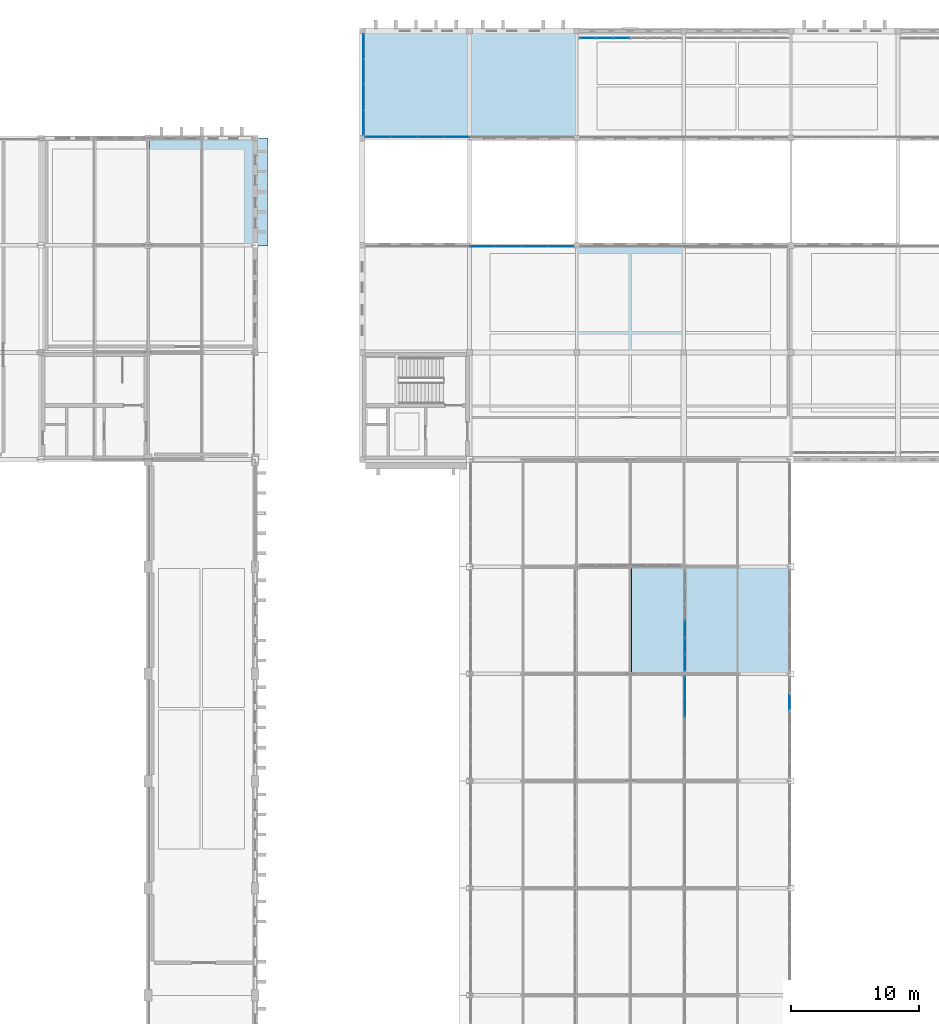
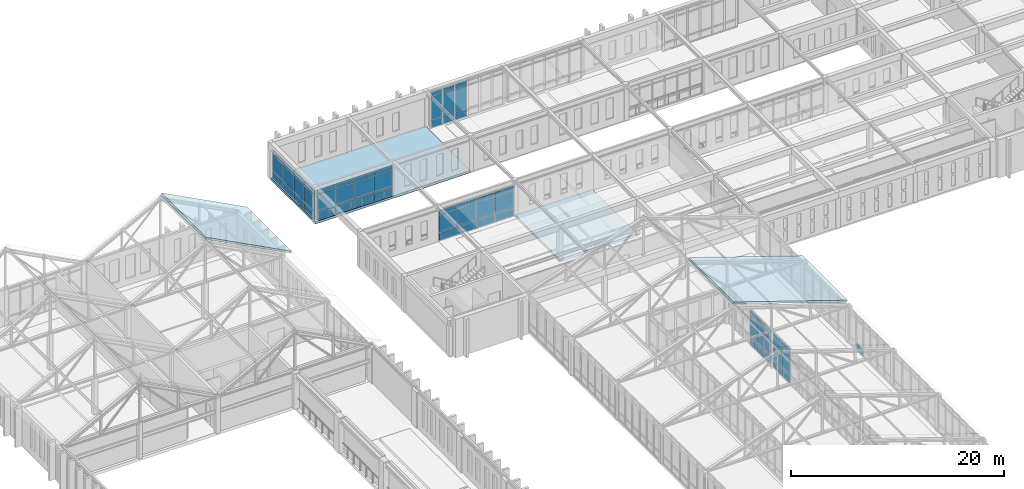
# One storey, part 123 of 192: 61 plates, 4 slabs, 7 elements without a shape of their own.
"""IFC4 building model written with IfcOpenShell, lengths in metres."""

from ifc_helpers import new_model, si_unit, direction, frame, origin, origin_2d, place, context, subcontext, project, spatial, polyline, rectangle, outline, extrude, material, layer, layer_set, type_object, element, aggregate, save


model = new_model("IFC4")

# Units and contexts
model_context = context("Model", 3, precision=1e-05, world=origin(), true_north=direction((0.0, 1.0)))
body_context = subcontext(model_context, "Body", "Model", "MODEL_VIEW")
ifc_project = project(units=[si_unit("LENGTHUNIT", "METRE"), si_unit("AREAUNIT", "SQUARE_METRE"), si_unit("VOLUMEUNIT", "CUBIC_METRE"), si_unit("PLANEANGLEUNIT", "RADIAN"), si_unit("MASSUNIT", "GRAM", prefix="KILO")], contexts=[model_context])

# Site, building, storey
site_placement = place(None, origin())
site = spatial("IfcSite", under=ifc_project, at=site_placement, CompositionType="ELEMENT")
building_placement = place(site_placement, origin())
building = spatial("IfcBuilding", under=site, at=building_placement, Name="Kveldsbrygga Polytechnic", CompositionType="ELEMENT")
storey_placement = place(building_placement, frame((0.0, 0.0, 5.43994140625)))
storey = spatial("IfcBuildingStorey", under=building, at=storey_placement, Name="L01", CompositionType="ELEMENT", Elevation=5.43994140625)

# Curtain wall, plates
ifc_material_1 = material(Name="Anodised aluminium AW-6060", Category="aluminium")
ifc_layer_1 = layer(ifc_material_1, 0.199951171875)
ifc_layer_set_1 = layer_set([ifc_layer_1], Name="Anodised aluminium AW-6060")
curtain_wall_type_1 = type_object("IfcCurtainWallType", Name="CW-LANC-E", PredefinedType="USERDEFINED", material=ifc_layer_set_1)
curtain_wall_1_placement = place(storey_placement, origin())
curtain_wall_1 = element("IfcCurtainWall", 1, at=curtain_wall_1_placement, inside=storey, type_object=curtain_wall_type_1, Name="Curtain Wall CW-L01-X-05-13", ObjectType="UNITISED CURTAIN WALL", PredefinedType="USERDEFINED")
ifc_material_2 = material(Name="Insulated triple low-E glass", Category="glass")
ifc_layer_2 = layer(ifc_material_2, 0.0419921875)
ifc_layer_set_2 = layer_set([ifc_layer_2], Name="Insulated triple low-E glass")
plate_type_1 = type_object("IfcPlateType", Name="CW-PAN-VIS42", PredefinedType="CURTAIN_PANEL", material=ifc_layer_set_2)
plate_1_placement = place(storey_placement, frame((43.248779296875, 109.300048828125, 0.06005859375), z_axis=(0.0, 0.0, 1.0), x_axis=(1.0, 0.0, 0.0)))
plate_1 = element("IfcPlate", 2, at=plate_1_placement, type_object=plate_type_1, Name="CW-05 panel 1.1", PredefinedType="CURTAIN_PANEL", context=body_context, shape_type="SweptSolid", body=[
    extrude(rectangle(XDim=1.95751953125, YDim=0.0419921875, at=origin_2d()), origin(), (0.0, 0.0, 1.0), 0.81005859375),
])
plate_2_placement = place(storey_placement, frame((43.248779296875, 109.300048828125, 0.93017578125), z_axis=(0.0, 0.0, 1.0), x_axis=(1.0, 0.0, 0.0)))
plate_2 = element("IfcPlate", 3, at=plate_2_placement, type_object=plate_type_1, Name="CW-05 panel 1.2", PredefinedType="CURTAIN_PANEL", context=body_context, shape_type="SweptSolid", body=[
    extrude(rectangle(XDim=1.95751953125, YDim=0.0419921875, at=origin_2d()), origin(), (0.0, 0.0, 1.0), 2.010009765625),
])
plate_3_placement = place(storey_placement, frame((43.248779296875, 109.300048828125, 3.0), z_axis=(0.0, 0.0, 1.0), x_axis=(1.0, 0.0, 0.0)))
plate_3 = element("IfcPlate", 4, at=plate_3_placement, type_object=plate_type_1, Name="CW-05 panel 1.3", PredefinedType="CURTAIN_PANEL", context=body_context, shape_type="SweptSolid", body=[
    extrude(rectangle(XDim=1.95751953125, YDim=0.0419921875, at=origin_2d()), origin(), (0.0, 0.0, 1.0), 0.4599609375),
])
plate_4_placement = place(storey_placement, frame((45.28125, 109.300048828125, 0.06005859375), z_axis=(0.0, 0.0, 1.0), x_axis=(1.0, 0.0, 0.0)))
plate_4 = element("IfcPlate", 5, at=plate_4_placement, type_object=plate_type_1, Name="CW-05 panel 2.1", PredefinedType="CURTAIN_PANEL", context=body_context, shape_type="SweptSolid", body=[
    extrude(rectangle(XDim=1.987548828125, YDim=0.0419921875, at=origin_2d()), origin(), (0.0, 0.0, 1.0), 0.81005859375),
])
plate_5_placement = place(storey_placement, frame((45.28125, 109.300048828125, 0.93017578125), z_axis=(0.0, 0.0, 1.0), x_axis=(1.0, 0.0, 0.0)))
plate_5 = element("IfcPlate", 6, at=plate_5_placement, type_object=plate_type_1, Name="CW-05 panel 2.2", PredefinedType="CURTAIN_PANEL", context=body_context, shape_type="SweptSolid", body=[
    extrude(rectangle(XDim=1.987548828125, YDim=0.0419921875, at=origin_2d()), origin(), (0.0, 0.0, 1.0), 2.010009765625),
])
plate_6_placement = place(storey_placement, frame((45.28125, 109.300048828125, 3.0), z_axis=(0.0, 0.0, 1.0), x_axis=(1.0, 0.0, 0.0)))
plate_6 = element("IfcPlate", 7, at=plate_6_placement, type_object=plate_type_1, Name="CW-05 panel 2.3", PredefinedType="CURTAIN_PANEL", context=body_context, shape_type="SweptSolid", body=[
    extrude(rectangle(XDim=1.987548828125, YDim=0.0419921875, at=origin_2d()), origin(), (0.0, 0.0, 1.0), 0.4599609375),
])
plate_7_placement = place(storey_placement, frame((47.328857421875, 109.300048828125, 0.06005859375), z_axis=(0.0, 0.0, 1.0), x_axis=(1.0, 0.0, 0.0)))
plate_7 = element("IfcPlate", 8, at=plate_7_placement, type_object=plate_type_1, Name="CW-05 panel 3.1", PredefinedType="CURTAIN_PANEL", context=body_context, shape_type="SweptSolid", body=[
    extrude(rectangle(XDim=1.987548828125, YDim=0.0419921875, at=origin_2d()), origin(), (0.0, 0.0, 1.0), 0.81005859375),
])
plate_8_placement = place(storey_placement, frame((47.328857421875, 109.300048828125, 0.93017578125), z_axis=(0.0, 0.0, 1.0), x_axis=(1.0, 0.0, 0.0)))
plate_8 = element("IfcPlate", 9, at=plate_8_placement, type_object=plate_type_1, Name="CW-05 panel 3.2", PredefinedType="CURTAIN_PANEL", context=body_context, shape_type="SweptSolid", body=[
    extrude(rectangle(XDim=1.987548828125, YDim=0.0419921875, at=origin_2d()), origin(), (0.0, 0.0, 1.0), 2.010009765625),
])
plate_9_placement = place(storey_placement, frame((47.328857421875, 109.300048828125, 3.0), z_axis=(0.0, 0.0, 1.0), x_axis=(1.0, 0.0, 0.0)))
plate_9 = element("IfcPlate", 10, at=plate_9_placement, type_object=plate_type_1, Name="CW-05 panel 3.3", PredefinedType="CURTAIN_PANEL", context=body_context, shape_type="SweptSolid", body=[
    extrude(rectangle(XDim=1.987548828125, YDim=0.0419921875, at=origin_2d()), origin(), (0.0, 0.0, 1.0), 0.4599609375),
])
plate_10_placement = place(storey_placement, frame((49.361328125, 109.300048828125, 0.06005859375), z_axis=(0.0, 0.0, 1.0), x_axis=(1.0, 0.0, 0.0)))
plate_10 = element("IfcPlate", 11, at=plate_10_placement, type_object=plate_type_1, Name="CW-05 panel 4.1", PredefinedType="CURTAIN_PANEL", context=body_context, shape_type="SweptSolid", body=[
    extrude(rectangle(XDim=1.95751953125, YDim=0.0419921875, at=origin_2d()), origin(), (0.0, 0.0, 1.0), 0.81005859375),
])
plate_11_placement = place(storey_placement, frame((49.361328125, 109.300048828125, 0.93017578125), z_axis=(0.0, 0.0, 1.0), x_axis=(1.0, 0.0, 0.0)))
plate_11 = element("IfcPlate", 12, at=plate_11_placement, type_object=plate_type_1, Name="CW-05 panel 4.2", PredefinedType="CURTAIN_PANEL", context=body_context, shape_type="SweptSolid", body=[
    extrude(rectangle(XDim=1.95751953125, YDim=0.0419921875, at=origin_2d()), origin(), (0.0, 0.0, 1.0), 2.010009765625),
])
plate_12_placement = place(storey_placement, frame((49.361328125, 109.300048828125, 3.0), z_axis=(0.0, 0.0, 1.0), x_axis=(1.0, 0.0, 0.0)))
plate_12 = element("IfcPlate", 13, at=plate_12_placement, type_object=plate_type_1, Name="CW-05 panel 4.3", PredefinedType="CURTAIN_PANEL", context=body_context, shape_type="SweptSolid", body=[
    extrude(rectangle(XDim=1.95751953125, YDim=0.0419921875, at=origin_2d()), origin(), (0.0, 0.0, 1.0), 0.4599609375),
])
aggregate(curtain_wall_1, [plate_1, plate_2, plate_3, plate_4, plate_5, plate_6, plate_7, plate_8, plate_9, plate_10, plate_11, plate_12])

curtain_wall_2_placement = place(storey_placement, origin())
curtain_wall_2 = element("IfcCurtainWall", 14, at=curtain_wall_2_placement, inside=storey, type_object=curtain_wall_type_1, Name="Curtain Wall CW-L01-Y-05-13", ObjectType="UNITISED CURTAIN WALL", PredefinedType="USERDEFINED")
plate_13_placement = place(storey_placement, frame((42.10009765625, 110.42431640625, 0.06005859375), z_axis=(0.0, 0.0, 1.0), x_axis=(0.0, 1.0, 0.0)))
plate_13 = element("IfcPlate", 15, at=plate_13_placement, type_object=plate_type_1, Name="CW-05 panel 1.1", PredefinedType="CURTAIN_PANEL", context=body_context, shape_type="SweptSolid", body=[
    extrude(rectangle(XDim=1.90869140625, YDim=0.0419921875, at=origin_2d()), origin(), (0.0, 0.0, 1.0), 0.81005859375),
])
plate_14_placement = place(storey_placement, frame((42.10009765625, 110.42431640625, 0.93017578125), z_axis=(0.0, 0.0, 1.0), x_axis=(0.0, 1.0, 0.0)))
plate_14 = element("IfcPlate", 16, at=plate_14_placement, type_object=plate_type_1, Name="CW-05 panel 1.2", PredefinedType="CURTAIN_PANEL", context=body_context, shape_type="SweptSolid", body=[
    extrude(rectangle(XDim=1.90869140625, YDim=0.0419921875, at=origin_2d()), origin(), (0.0, 0.0, 1.0), 1.860107421875),
])
plate_15_placement = place(storey_placement, frame((42.10009765625, 110.42431640625, 2.85009765625), z_axis=(0.0, 0.0, 1.0), x_axis=(0.0, 1.0, 0.0)))
plate_15 = element("IfcPlate", 17, at=plate_15_placement, type_object=plate_type_1, Name="CW-05 panel 1.3", PredefinedType="CURTAIN_PANEL", context=body_context, shape_type="SweptSolid", body=[
    extrude(rectangle(XDim=1.90869140625, YDim=0.0419921875, at=origin_2d()), origin(), (0.0, 0.0, 1.0), 0.4599609375),
])
plate_16_placement = place(storey_placement, frame((42.10009765625, 112.408203125, 0.06005859375), z_axis=(0.0, 0.0, 1.0), x_axis=(0.0, 1.0, 0.0)))
plate_16 = element("IfcPlate", 18, at=plate_16_placement, type_object=plate_type_1, Name="CW-05 panel 2.1", PredefinedType="CURTAIN_PANEL", context=body_context, shape_type="SweptSolid", body=[
    extrude(rectangle(XDim=1.938720703125, YDim=0.0419921875, at=origin_2d()), origin(), (0.0, 0.0, 1.0), 0.81005859375),
])
plate_17_placement = place(storey_placement, frame((42.10009765625, 112.408203125, 0.93017578125), z_axis=(0.0, 0.0, 1.0), x_axis=(0.0, 1.0, 0.0)))
plate_17 = element("IfcPlate", 19, at=plate_17_placement, type_object=plate_type_1, Name="CW-05 panel 2.2", PredefinedType="CURTAIN_PANEL", context=body_context, shape_type="SweptSolid", body=[
    extrude(rectangle(XDim=1.938720703125, YDim=0.0419921875, at=origin_2d()), origin(), (0.0, 0.0, 1.0), 1.860107421875),
])
plate_18_placement = place(storey_placement, frame((42.10009765625, 112.408203125, 2.85009765625), z_axis=(0.0, 0.0, 1.0), x_axis=(0.0, 1.0, 0.0)))
plate_18 = element("IfcPlate", 20, at=plate_18_placement, type_object=plate_type_1, Name="CW-05 panel 2.3", PredefinedType="CURTAIN_PANEL", context=body_context, shape_type="SweptSolid", body=[
    extrude(rectangle(XDim=1.938720703125, YDim=0.0419921875, at=origin_2d()), origin(), (0.0, 0.0, 1.0), 0.4599609375),
])
plate_19_placement = place(storey_placement, frame((42.10009765625, 114.406982421875, 0.06005859375), z_axis=(0.0, 0.0, 1.0), x_axis=(0.0, 1.0, 0.0)))
plate_19 = element("IfcPlate", 21, at=plate_19_placement, type_object=plate_type_1, Name="CW-05 panel 3.1", PredefinedType="CURTAIN_PANEL", context=body_context, shape_type="SweptSolid", body=[
    extrude(rectangle(XDim=1.938720703125, YDim=0.0419921875, at=origin_2d()), origin(), (0.0, 0.0, 1.0), 0.81005859375),
])
plate_20_placement = place(storey_placement, frame((42.10009765625, 114.406982421875, 0.93017578125), z_axis=(0.0, 0.0, 1.0), x_axis=(0.0, 1.0, 0.0)))
plate_20 = element("IfcPlate", 22, at=plate_20_placement, type_object=plate_type_1, Name="CW-05 panel 3.2", PredefinedType="CURTAIN_PANEL", context=body_context, shape_type="SweptSolid", body=[
    extrude(rectangle(XDim=1.938720703125, YDim=0.0419921875, at=origin_2d()), origin(), (0.0, 0.0, 1.0), 1.860107421875),
])
plate_21_placement = place(storey_placement, frame((42.10009765625, 114.406982421875, 2.85009765625), z_axis=(0.0, 0.0, 1.0), x_axis=(0.0, 1.0, 0.0)))
plate_21 = element("IfcPlate", 23, at=plate_21_placement, type_object=plate_type_1, Name="CW-05 panel 3.3", PredefinedType="CURTAIN_PANEL", context=body_context, shape_type="SweptSolid", body=[
    extrude(rectangle(XDim=1.938720703125, YDim=0.0419921875, at=origin_2d()), origin(), (0.0, 0.0, 1.0), 0.4599609375),
])
plate_22_placement = place(storey_placement, frame((42.10009765625, 116.390625, 0.06005859375), z_axis=(0.0, 0.0, 1.0), x_axis=(0.0, 1.0, 0.0)))
plate_22 = element("IfcPlate", 24, at=plate_22_placement, type_object=plate_type_1, Name="CW-05 panel 4.1", PredefinedType="CURTAIN_PANEL", context=body_context, shape_type="SweptSolid", body=[
    extrude(rectangle(XDim=1.90869140625, YDim=0.0419921875, at=origin_2d()), origin(), (0.0, 0.0, 1.0), 0.81005859375),
])
plate_23_placement = place(storey_placement, frame((42.10009765625, 116.390625, 0.93017578125), z_axis=(0.0, 0.0, 1.0), x_axis=(0.0, 1.0, 0.0)))
plate_23 = element("IfcPlate", 25, at=plate_23_placement, type_object=plate_type_1, Name="CW-05 panel 4.2", PredefinedType="CURTAIN_PANEL", context=body_context, shape_type="SweptSolid", body=[
    extrude(rectangle(XDim=1.90869140625, YDim=0.0419921875, at=origin_2d()), origin(), (0.0, 0.0, 1.0), 1.860107421875),
])
plate_24_placement = place(storey_placement, frame((42.10009765625, 116.390625, 2.85009765625), z_axis=(0.0, 0.0, 1.0), x_axis=(0.0, 1.0, 0.0)))
plate_24 = element("IfcPlate", 26, at=plate_24_placement, type_object=plate_type_1, Name="CW-05 panel 4.3", PredefinedType="CURTAIN_PANEL", context=body_context, shape_type="SweptSolid", body=[
    extrude(rectangle(XDim=1.90869140625, YDim=0.0419921875, at=origin_2d()), origin(), (0.0, 0.0, 1.0), 0.4599609375),
])
aggregate(curtain_wall_2, [plate_13, plate_14, plate_15, plate_16, plate_17, plate_18, plate_19, plate_20, plate_21, plate_22, plate_23, plate_24])

curtain_wall_3_placement = place(storey_placement, origin())
curtain_wall_3 = element("IfcCurtainWall", 27, at=curtain_wall_3_placement, inside=storey, type_object=curtain_wall_type_1, Name="Curtain Wall CW-L01-X-06-12", ObjectType="UNITISED CURTAIN WALL", PredefinedType="USERDEFINED")
plate_25_placement = place(storey_placement, frame((51.440673828125, 100.699951171875, 0.06005859375), z_axis=(0.0, 0.0, 1.0), x_axis=(1.0, 0.0, 0.0)))
plate_25 = element("IfcPlate", 28, at=plate_25_placement, type_object=plate_type_1, Name="CW-05 panel 1.1", PredefinedType="CURTAIN_PANEL", context=body_context, shape_type="SweptSolid", body=[
    extrude(rectangle(XDim=1.961181640625, YDim=0.0419921875, at=origin_2d()), origin(), (0.0, 0.0, 1.0), 0.81005859375),
])
plate_26_placement = place(storey_placement, frame((51.440673828125, 100.699951171875, 0.93017578125), z_axis=(0.0, 0.0, 1.0), x_axis=(1.0, 0.0, 0.0)))
plate_26 = element("IfcPlate", 29, at=plate_26_placement, type_object=plate_type_1, Name="CW-05 panel 1.2", PredefinedType="CURTAIN_PANEL", context=body_context, shape_type="SweptSolid", body=[
    extrude(rectangle(XDim=1.961181640625, YDim=0.0419921875, at=origin_2d()), origin(), (0.0, 0.0, 1.0), 2.010009765625),
])
plate_27_placement = place(storey_placement, frame((51.440673828125, 100.699951171875, 3.0), z_axis=(0.0, 0.0, 1.0), x_axis=(1.0, 0.0, 0.0)))
plate_27 = element("IfcPlate", 30, at=plate_27_placement, type_object=plate_type_1, Name="CW-05 panel 1.3", PredefinedType="CURTAIN_PANEL", context=body_context, shape_type="SweptSolid", body=[
    extrude(rectangle(XDim=1.961181640625, YDim=0.0419921875, at=origin_2d()), origin(), (0.0, 0.0, 1.0), 0.4599609375),
])
plate_28_placement = place(storey_placement, frame((53.476806640625, 100.699951171875, 0.06005859375), z_axis=(0.0, 0.0, 1.0), x_axis=(1.0, 0.0, 0.0)))
plate_28 = element("IfcPlate", 31, at=plate_28_placement, type_object=plate_type_1, Name="CW-05 panel 2.1", PredefinedType="CURTAIN_PANEL", context=body_context, shape_type="SweptSolid", body=[
    extrude(rectangle(XDim=1.9912109375, YDim=0.0419921875, at=origin_2d()), origin(), (0.0, 0.0, 1.0), 0.81005859375),
])
plate_29_placement = place(storey_placement, frame((53.476806640625, 100.699951171875, 0.93017578125), z_axis=(0.0, 0.0, 1.0), x_axis=(1.0, 0.0, 0.0)))
plate_29 = element("IfcPlate", 32, at=plate_29_placement, type_object=plate_type_1, Name="CW-05 panel 2.2", PredefinedType="CURTAIN_PANEL", context=body_context, shape_type="SweptSolid", body=[
    extrude(rectangle(XDim=1.9912109375, YDim=0.0419921875, at=origin_2d()), origin(), (0.0, 0.0, 1.0), 2.010009765625),
])
plate_30_placement = place(storey_placement, frame((53.476806640625, 100.699951171875, 3.0), z_axis=(0.0, 0.0, 1.0), x_axis=(1.0, 0.0, 0.0)))
plate_30 = element("IfcPlate", 33, at=plate_30_placement, type_object=plate_type_1, Name="CW-05 panel 2.3", PredefinedType="CURTAIN_PANEL", context=body_context, shape_type="SweptSolid", body=[
    extrude(rectangle(XDim=1.9912109375, YDim=0.0419921875, at=origin_2d()), origin(), (0.0, 0.0, 1.0), 0.4599609375),
])
plate_31_placement = place(storey_placement, frame((55.528076171875, 100.699951171875, 0.06005859375), z_axis=(0.0, 0.0, 1.0), x_axis=(1.0, 0.0, 0.0)))
plate_31 = element("IfcPlate", 34, at=plate_31_placement, type_object=plate_type_1, Name="CW-05 panel 3.1", PredefinedType="CURTAIN_PANEL", context=body_context, shape_type="SweptSolid", body=[
    extrude(rectangle(XDim=1.9912109375, YDim=0.0419921875, at=origin_2d()), origin(), (0.0, 0.0, 1.0), 0.81005859375),
])
plate_32_placement = place(storey_placement, frame((55.528076171875, 100.699951171875, 0.93017578125), z_axis=(0.0, 0.0, 1.0), x_axis=(1.0, 0.0, 0.0)))
plate_32 = element("IfcPlate", 35, at=plate_32_placement, type_object=plate_type_1, Name="CW-05 panel 3.2", PredefinedType="CURTAIN_PANEL", context=body_context, shape_type="SweptSolid", body=[
    extrude(rectangle(XDim=1.9912109375, YDim=0.0419921875, at=origin_2d()), origin(), (0.0, 0.0, 1.0), 2.010009765625),
])
plate_33_placement = place(storey_placement, frame((55.528076171875, 100.699951171875, 3.0), z_axis=(0.0, 0.0, 1.0), x_axis=(1.0, 0.0, 0.0)))
plate_33 = element("IfcPlate", 36, at=plate_33_placement, type_object=plate_type_1, Name="CW-05 panel 3.3", PredefinedType="CURTAIN_PANEL", context=body_context, shape_type="SweptSolid", body=[
    extrude(rectangle(XDim=1.9912109375, YDim=0.0419921875, at=origin_2d()), origin(), (0.0, 0.0, 1.0), 0.4599609375),
])
plate_34_placement = place(storey_placement, frame((57.564453125, 100.699951171875, 0.06005859375), z_axis=(0.0, 0.0, 1.0), x_axis=(1.0, 0.0, 0.0)))
plate_34 = element("IfcPlate", 37, at=plate_34_placement, type_object=plate_type_1, Name="CW-05 panel 4.1", PredefinedType="CURTAIN_PANEL", context=body_context, shape_type="SweptSolid", body=[
    extrude(rectangle(XDim=1.961181640625, YDim=0.0419921875, at=origin_2d()), origin(), (0.0, 0.0, 1.0), 0.81005859375),
])
plate_35_placement = place(storey_placement, frame((57.564453125, 100.699951171875, 0.93017578125), z_axis=(0.0, 0.0, 1.0), x_axis=(1.0, 0.0, 0.0)))
plate_35 = element("IfcPlate", 38, at=plate_35_placement, type_object=plate_type_1, Name="CW-05 panel 4.2", PredefinedType="CURTAIN_PANEL", context=body_context, shape_type="SweptSolid", body=[
    extrude(rectangle(XDim=1.961181640625, YDim=0.0419921875, at=origin_2d()), origin(), (0.0, 0.0, 1.0), 2.010009765625),
])
plate_36_placement = place(storey_placement, frame((57.564453125, 100.699951171875, 3.0), z_axis=(0.0, 0.0, 1.0), x_axis=(1.0, 0.0, 0.0)))
plate_36 = element("IfcPlate", 39, at=plate_36_placement, type_object=plate_type_1, Name="CW-05 panel 4.3", PredefinedType="CURTAIN_PANEL", context=body_context, shape_type="SweptSolid", body=[
    extrude(rectangle(XDim=1.961181640625, YDim=0.0419921875, at=origin_2d()), origin(), (0.0, 0.0, 1.0), 0.4599609375),
])
aggregate(curtain_wall_3, [plate_25, plate_26, plate_27, plate_28, plate_29, plate_30, plate_31, plate_32, plate_33, plate_34, plate_35, plate_36])

ifc_layer_3 = layer(ifc_material_1, 0.2099609375)
ifc_layer_set_3 = layer_set([ifc_layer_3], Name="Anodised aluminium AW-6060")
curtain_wall_type_2 = type_object("IfcCurtainWallType", Name="CW-LIBR-H", PredefinedType="USERDEFINED", material=ifc_layer_set_3)
curtain_wall_4_placement = place(storey_placement, origin())
curtain_wall_4 = element("IfcCurtainWall", 40, at=curtain_wall_4_placement, inside=storey, type_object=curtain_wall_type_2, Name="Curtain Wall CW-L01-X-07-14", ObjectType="UNITISED CURTAIN WALL", PredefinedType="USERDEFINED")
plate_37_placement = place(storey_placement, frame((59.679931640625, 117.050048828125, 0.06005859375), z_axis=(0.0, 0.0, 1.0), x_axis=(1.0, 0.0, 0.0)))
plate_37 = element("IfcPlate", 41, at=plate_37_placement, type_object=plate_type_1, Name="CW-08 panel 1.1", PredefinedType="CURTAIN_PANEL", context=body_context, shape_type="SweptSolid", body=[
    extrude(rectangle(XDim=1.219970703125, YDim=0.0419921875, at=origin_2d()), origin(), (0.0, 0.0, 1.0), 0.81005859375),
])
plate_38_placement = place(storey_placement, frame((59.679931640625, 117.050048828125, 0.93017578125), z_axis=(0.0, 0.0, 1.0), x_axis=(1.0, 0.0, 0.0)))
plate_38 = element("IfcPlate", 42, at=plate_38_placement, type_object=plate_type_1, Name="CW-08 panel 1.2", PredefinedType="CURTAIN_PANEL", context=body_context, shape_type="SweptSolid", body=[
    extrude(rectangle(XDim=1.219970703125, YDim=0.0419921875, at=origin_2d()), origin(), (0.0, 0.0, 1.0), 2.610107421875),
])
plate_39_placement = place(storey_placement, frame((59.679931640625, 117.050048828125, 3.60009765625), z_axis=(0.0, 0.0, 1.0), x_axis=(1.0, 0.0, 0.0)))
plate_39 = element("IfcPlate", 43, at=plate_39_placement, type_object=plate_type_1, Name="CW-08 panel 1.3", PredefinedType="CURTAIN_PANEL", context=body_context, shape_type="SweptSolid", body=[
    extrude(rectangle(XDim=1.219970703125, YDim=0.0419921875, at=origin_2d()), origin(), (0.0, 0.0, 1.0), 0.4599609375),
])
plate_40_placement = place(storey_placement, frame((60.99365234375, 117.050048828125, 0.06005859375), z_axis=(0.0, 0.0, 1.0), x_axis=(1.0, 0.0, 0.0)))
plate_40 = element("IfcPlate", 44, at=plate_40_placement, type_object=plate_type_1, Name="CW-08 panel 2.1", PredefinedType="CURTAIN_PANEL", context=body_context, shape_type="SweptSolid", body=[
    extrude(rectangle(XDim=1.257568359375, YDim=0.0419921875, at=origin_2d()), origin(), (0.0, 0.0, 1.0), 0.81005859375),
])
plate_41_placement = place(storey_placement, frame((60.99365234375, 117.050048828125, 0.93017578125), z_axis=(0.0, 0.0, 1.0), x_axis=(1.0, 0.0, 0.0)))
plate_41 = element("IfcPlate", 45, at=plate_41_placement, type_object=plate_type_1, Name="CW-08 panel 2.2", PredefinedType="CURTAIN_PANEL", context=body_context, shape_type="SweptSolid", body=[
    extrude(rectangle(XDim=1.257568359375, YDim=0.0419921875, at=origin_2d()), origin(), (0.0, 0.0, 1.0), 2.610107421875),
])
plate_42_placement = place(storey_placement, frame((60.99365234375, 117.050048828125, 3.60009765625), z_axis=(0.0, 0.0, 1.0), x_axis=(1.0, 0.0, 0.0)))
plate_42 = element("IfcPlate", 46, at=plate_42_placement, type_object=plate_type_1, Name="CW-08 panel 2.3", PredefinedType="CURTAIN_PANEL", context=body_context, shape_type="SweptSolid", body=[
    extrude(rectangle(XDim=1.257568359375, YDim=0.0419921875, at=origin_2d()), origin(), (0.0, 0.0, 1.0), 0.4599609375),
])
plate_43_placement = place(storey_placement, frame((62.326171875, 117.050048828125, 0.06005859375), z_axis=(0.0, 0.0, 1.0), x_axis=(1.0, 0.0, 0.0)))
plate_43 = element("IfcPlate", 47, at=plate_43_placement, type_object=plate_type_1, Name="CW-08 panel 3.1", PredefinedType="CURTAIN_PANEL", context=body_context, shape_type="SweptSolid", body=[
    extrude(rectangle(XDim=1.257568359375, YDim=0.0419921875, at=origin_2d()), origin(), (0.0, 0.0, 1.0), 0.81005859375),
])
plate_44_placement = place(storey_placement, frame((62.326171875, 117.050048828125, 0.93017578125), z_axis=(0.0, 0.0, 1.0), x_axis=(1.0, 0.0, 0.0)))
plate_44 = element("IfcPlate", 48, at=plate_44_placement, type_object=plate_type_1, Name="CW-08 panel 3.2", PredefinedType="CURTAIN_PANEL", context=body_context, shape_type="SweptSolid", body=[
    extrude(rectangle(XDim=1.257568359375, YDim=0.0419921875, at=origin_2d()), origin(), (0.0, 0.0, 1.0), 2.610107421875),
])
plate_45_placement = place(storey_placement, frame((62.326171875, 117.050048828125, 3.60009765625), z_axis=(0.0, 0.0, 1.0), x_axis=(1.0, 0.0, 0.0)))
plate_45 = element("IfcPlate", 49, at=plate_45_placement, type_object=plate_type_1, Name="CW-08 panel 3.3", PredefinedType="CURTAIN_PANEL", context=body_context, shape_type="SweptSolid", body=[
    extrude(rectangle(XDim=1.257568359375, YDim=0.0419921875, at=origin_2d()), origin(), (0.0, 0.0, 1.0), 0.4599609375),
])
aggregate(curtain_wall_4, [plate_37, plate_38, plate_39, plate_40, plate_41, plate_42, plate_43, plate_44, plate_45])

ifc_layer_4 = layer(ifc_material_1, 0.199951171875)
ifc_layer_set_4 = layer_set([ifc_layer_4], Name="Anodised aluminium AW-6060")
curtain_wall_type_3 = type_object("IfcCurtainWallType", Name="CW-CONC-B", PredefinedType="USERDEFINED", material=ifc_layer_set_4)
curtain_wall_5_placement = place(storey_placement, origin())
curtain_wall_5 = element("IfcCurtainWall", 50, at=curtain_wall_5_placement, inside=storey, type_object=curtain_wall_type_3, Name="Curtain Wall CW-L01-Y-08-07", ObjectType="UNITISED CURTAIN WALL", PredefinedType="USERDEFINED")
plate_46_placement = place(storey_placement, frame((67.300048828125, 64.617919921875, 0.06005859375), z_axis=(0.0, 0.0, 1.0), x_axis=(0.0, 1.0, 0.0)))
plate_46 = element("IfcPlate", 51, at=plate_46_placement, type_object=plate_type_1, Name="CW-02 panel 4.1", PredefinedType="CURTAIN_PANEL", context=body_context, shape_type="SweptSolid", body=[
    extrude(rectangle(XDim=1.55810546875, YDim=0.0419921875, at=origin_2d()), origin(), (0.0, 0.0, 1.0), 0.81005859375),
])
plate_47_placement = place(storey_placement, frame((67.300048828125, 64.617919921875, 0.93017578125), z_axis=(0.0, 0.0, 1.0), x_axis=(0.0, 1.0, 0.0)))
plate_47 = element("IfcPlate", 52, at=plate_47_placement, type_object=plate_type_1, Name="CW-02 panel 4.2", PredefinedType="CURTAIN_PANEL", context=body_context, shape_type="SweptSolid", body=[
    extrude(rectangle(XDim=1.55810546875, YDim=0.0419921875, at=origin_2d()), origin(), (0.0, 0.0, 1.0), 2.610107421875),
])
plate_48_placement = place(storey_placement, frame((67.300048828125, 64.617919921875, 3.60009765625), z_axis=(0.0, 0.0, 1.0), x_axis=(0.0, 1.0, 0.0)))
plate_48 = element("IfcPlate", 53, at=plate_48_placement, type_object=plate_type_1, Name="CW-02 panel 4.3", PredefinedType="CURTAIN_PANEL", context=body_context, shape_type="SweptSolid", body=[
    extrude(rectangle(XDim=1.55810546875, YDim=0.0419921875, at=origin_2d()), origin(), (0.0, 0.0, 1.0), 0.4599609375),
])
plate_49_placement = place(storey_placement, frame((67.300048828125, 66.220947265625, 0.06005859375), z_axis=(0.0, 0.0, 1.0), x_axis=(0.0, 1.0, 0.0)))
plate_49 = element("IfcPlate", 54, at=plate_49_placement, type_object=plate_type_1, Name="CW-02 panel 5.1", PredefinedType="CURTAIN_PANEL", context=body_context, shape_type="SweptSolid", body=[
    extrude(rectangle(XDim=1.528076171875, YDim=0.0419921875, at=origin_2d()), origin(), (0.0, 0.0, 1.0), 0.81005859375),
])
plate_50_placement = place(storey_placement, frame((67.300048828125, 66.220947265625, 0.93017578125), z_axis=(0.0, 0.0, 1.0), x_axis=(0.0, 1.0, 0.0)))
plate_50 = element("IfcPlate", 55, at=plate_50_placement, type_object=plate_type_1, Name="CW-02 panel 5.2", PredefinedType="CURTAIN_PANEL", context=body_context, shape_type="SweptSolid", body=[
    extrude(rectangle(XDim=1.528076171875, YDim=0.0419921875, at=origin_2d()), origin(), (0.0, 0.0, 1.0), 2.610107421875),
])
plate_51_placement = place(storey_placement, frame((67.300048828125, 66.220947265625, 3.60009765625), z_axis=(0.0, 0.0, 1.0), x_axis=(0.0, 1.0, 0.0)))
plate_51 = element("IfcPlate", 56, at=plate_51_placement, type_object=plate_type_1, Name="CW-02 panel 5.3", PredefinedType="CURTAIN_PANEL", context=body_context, shape_type="SweptSolid", body=[
    extrude(rectangle(XDim=1.528076171875, YDim=0.0419921875, at=origin_2d()), origin(), (0.0, 0.0, 1.0), 0.4599609375),
])
aggregate(curtain_wall_5, [plate_46, plate_47, plate_48, plate_49, plate_50, plate_51])

# Curtain wall, plate
ifc_layer_5 = layer(ifc_material_1, 0.159912109375)
ifc_layer_set_5 = layer_set([ifc_layer_5], Name="Anodised aluminium AW-6060")
curtain_wall_type_4 = type_object("IfcCurtainWallType", Name="CW-CLER-C", PredefinedType="USERDEFINED", material=ifc_layer_set_5)
curtain_wall_6_placement = place(storey_placement, origin())
curtain_wall_6 = element("IfcCurtainWall", 57, at=curtain_wall_6_placement, inside=storey, type_object=curtain_wall_type_4, Name="Curtain Wall CW-L01-Y-09-07", ObjectType="STICK CURTAIN WALL", PredefinedType="USERDEFINED")
ifc_layer_6 = layer(ifc_material_2, 0.048095703125)
ifc_layer_set_6 = layer_set([ifc_layer_6], Name="Insulated triple low-E glass")
plate_type_2 = type_object("IfcPlateType", Name="CW-PAN-VIS48", PredefinedType="CURTAIN_PANEL", material=ifc_layer_set_6)
plate_52_placement = place(storey_placement, frame((75.5, 64.987548828125, 0.074951171875), z_axis=(0.0, 0.0, 1.0), x_axis=(0.0, 1.0, 0.0)))
plate_52 = element("IfcPlate", 58, at=plate_52_placement, type_object=plate_type_2, Name="CW-03 panel 5.1", PredefinedType="CURTAIN_PANEL", context=body_context, shape_type="SweptSolid", body=[
    extrude(rectangle(XDim=1.25, YDim=0.048095703125, at=origin_2d()), origin(), (0.0, 0.0, 1.0), 0.78759765625),
])
aggregate(curtain_wall_6, [plate_52])

# Curtain wall, plates
curtain_wall_7_placement = place(storey_placement, origin())
curtain_wall_7 = element("IfcCurtainWall", 59, at=curtain_wall_7_placement, inside=storey, type_object=curtain_wall_type_4, Name="Curtain Wall CW-L01-Y-08-08", ObjectType="STICK CURTAIN WALL", PredefinedType="USERDEFINED")
plate_53_placement = place(storey_placement, frame((67.300048828125, 68.04541015625, 0.074951171875), z_axis=(0.0, 0.0, 1.0), x_axis=(0.0, 1.0, 0.0)))
plate_53 = element("IfcPlate", 60, at=plate_53_placement, type_object=plate_type_2, Name="CW-03 panel 1.1", PredefinedType="CURTAIN_PANEL", context=body_context, shape_type="SweptSolid", body=[
    extrude(rectangle(XDim=1.230712890625, YDim=0.048095703125, at=origin_2d()), origin(), (0.0, 0.0, 1.0), 0.78759765625),
])
plate_54_placement = place(storey_placement, frame((67.300048828125, 68.04541015625, 0.9375), z_axis=(0.0, 0.0, 1.0), x_axis=(0.0, 1.0, 0.0)))
plate_54 = element("IfcPlate", 61, at=plate_54_placement, type_object=plate_type_2, Name="CW-03 panel 1.2", PredefinedType="CURTAIN_PANEL", context=body_context, shape_type="SweptSolid", body=[
    extrude(rectangle(XDim=1.230712890625, YDim=0.048095703125, at=origin_2d()), origin(), (0.0, 0.0, 1.0), 2.594970703125),
])
plate_55_placement = place(storey_placement, frame((67.300048828125, 68.04541015625, 3.607666015625), z_axis=(0.0, 0.0, 1.0), x_axis=(0.0, 1.0, 0.0)))
plate_55 = element("IfcPlate", 62, at=plate_55_placement, type_object=plate_type_2, Name="CW-03 panel 1.3", PredefinedType="CURTAIN_PANEL", context=body_context, shape_type="SweptSolid", body=[
    extrude(rectangle(XDim=1.230712890625, YDim=0.048095703125, at=origin_2d()), origin(), (0.0, 0.0, 1.0), 0.4375),
])
plate_56_placement = place(storey_placement, frame((67.300048828125, 69.3701171875, 0.074951171875), z_axis=(0.0, 0.0, 1.0), x_axis=(0.0, 1.0, 0.0)))
plate_56 = element("IfcPlate", 63, at=plate_56_placement, type_object=plate_type_2, Name="CW-03 panel 2.1", PredefinedType="CURTAIN_PANEL", context=body_context, shape_type="SweptSolid", body=[
    extrude(rectangle(XDim=1.268310546875, YDim=0.048095703125, at=origin_2d()), origin(), (0.0, 0.0, 1.0), 0.78759765625),
])
plate_57_placement = place(storey_placement, frame((67.300048828125, 69.3701171875, 0.9375), z_axis=(0.0, 0.0, 1.0), x_axis=(0.0, 1.0, 0.0)))
plate_57 = element("IfcPlate", 64, at=plate_57_placement, type_object=plate_type_2, Name="CW-03 panel 2.2", PredefinedType="CURTAIN_PANEL", context=body_context, shape_type="SweptSolid", body=[
    extrude(rectangle(XDim=1.268310546875, YDim=0.048095703125, at=origin_2d()), origin(), (0.0, 0.0, 1.0), 2.594970703125),
])
plate_58_placement = place(storey_placement, frame((67.300048828125, 69.3701171875, 3.607666015625), z_axis=(0.0, 0.0, 1.0), x_axis=(0.0, 1.0, 0.0)))
plate_58 = element("IfcPlate", 65, at=plate_58_placement, type_object=plate_type_2, Name="CW-03 panel 2.3", PredefinedType="CURTAIN_PANEL", context=body_context, shape_type="SweptSolid", body=[
    extrude(rectangle(XDim=1.268310546875, YDim=0.048095703125, at=origin_2d()), origin(), (0.0, 0.0, 1.0), 0.4375),
])
plate_59_placement = place(storey_placement, frame((67.300048828125, 70.71337890625, 0.074951171875), z_axis=(0.0, 0.0, 1.0), x_axis=(0.0, 1.0, 0.0)))
plate_59 = element("IfcPlate", 66, at=plate_59_placement, type_object=plate_type_2, Name="CW-03 panel 3.1", PredefinedType="CURTAIN_PANEL", context=body_context, shape_type="SweptSolid", body=[
    extrude(rectangle(XDim=1.268310546875, YDim=0.048095703125, at=origin_2d()), origin(), (0.0, 0.0, 1.0), 0.78759765625),
])
plate_60_placement = place(storey_placement, frame((67.300048828125, 70.71337890625, 0.9375), z_axis=(0.0, 0.0, 1.0), x_axis=(0.0, 1.0, 0.0)))
plate_60 = element("IfcPlate", 67, at=plate_60_placement, type_object=plate_type_2, Name="CW-03 panel 3.2", PredefinedType="CURTAIN_PANEL", context=body_context, shape_type="SweptSolid", body=[
    extrude(rectangle(XDim=1.268310546875, YDim=0.048095703125, at=origin_2d()), origin(), (0.0, 0.0, 1.0), 2.594970703125),
])
plate_61_placement = place(storey_placement, frame((67.300048828125, 70.71337890625, 3.607666015625), z_axis=(0.0, 0.0, 1.0), x_axis=(0.0, 1.0, 0.0)))
plate_61 = element("IfcPlate", 68, at=plate_61_placement, type_object=plate_type_2, Name="CW-03 panel 3.3", PredefinedType="CURTAIN_PANEL", context=body_context, shape_type="SweptSolid", body=[
    extrude(rectangle(XDim=1.268310546875, YDim=0.048095703125, at=origin_2d()), origin(), (0.0, 0.0, 1.0), 0.4375),
])
aggregate(curtain_wall_7, [plate_53, plate_54, plate_55, plate_56, plate_57, plate_58, plate_59, plate_60, plate_61])

# Slabs
ifc_material_3 = material(Name="Concrete C35/45", Category="concrete")
ifc_layer_7 = layer(ifc_material_3, 0.219970703125)
ifc_layer_set_7 = layer_set([ifc_layer_7], Name="Concrete C35/45")
slab_type_1 = type_object("IfcSlabType", Name="SLB-ROOF-220", PredefinedType="ROOF", material=ifc_layer_set_7)
slab_1_placement = place(storey_placement, frame((25.322021484375, 100.800048828125, 9.156005859375), z_axis=(0.464000897665, 0.0, 0.885834728923), x_axis=(0.885834728923, 0.0, -0.464000897665)))
element("IfcSlab", 69, at=slab_1_placement, inside=storey, type_object=slab_type_1, Name="Pitched Roof Slab V1N2-RSLB-3-2", PredefinedType="ROOF", context=body_context, shape_type="SweptSolid", body=[
    extrude(outline(polyline([(0.0, 0.0), (10.473823015668954, 0.0), (10.473823015668954, 8.399902343750002), (0.0, 8.399902343750002), (0.0, 0.0)])), origin(), (0.0, 0.0, -1.0), 0.219970703125),
])
slab_2_placement = place(storey_placement, frame((63.089599609375, 67.199951171875, 8.896240234375), z_axis=(0.31622213995, 0.0, 0.948685173388), x_axis=(0.948685173388, 0.0, -0.31622213995)))
element("IfcSlab", 70, at=slab_2_placement, inside=storey, type_object=slab_type_1, Name="Pitched Roof Slab V5C-RSLB-8-2", PredefinedType="ROOF", context=body_context, shape_type="SweptSolid", body=[
    extrude(outline(polyline([(0.0, 0.0), (13.018377585447984, 0.0), (13.018377585447984, 8.400146484375), (0.0, 8.400146484375), (0.0, 0.0)])), origin(), (0.0, 0.0, -1.0), 0.219970703125),
])
ifc_layer_8 = layer(ifc_material_3, 0.280029296875)
ifc_layer_set_8 = layer_set([ifc_layer_8], Name="Concrete C35/45")
slab_type_2 = type_object("IfcSlabType", Name="SLB-STD-280", PredefinedType="FLOOR", material=ifc_layer_set_8)
slab_3_placement = place(storey_placement, frame((0.0, 0.0, -0.280029296875)))
element("IfcSlab", 71, at=slab_3_placement, inside=storey, type_object=slab_type_2, Name="Slab SLB-L01-V2-Z7-2", PredefinedType="FLOOR", context=body_context, shape_type="SweptSolid", body=[
    extrude(outline(polyline([(42.0, 117.60009765625), (50.39990234375, 117.60009765625), (58.800048828125, 117.60009765625), (58.800048828125, 109.199951171875), (50.39990234375, 109.199951171875), (42.0, 109.199951171875), (42.0, 117.60009765625)])), origin(), (0.0, 0.0, 1.0), 0.280029296875),
])
slab_4_placement = place(storey_placement, frame((0.0, 0.0, -0.280029296875)))
element("IfcSlab", 72, at=slab_4_placement, inside=storey, type_object=slab_type_2, Name="Slab SLB-L01-V2-Z8-1", PredefinedType="FLOOR", context=body_context, shape_type="SweptSolid", body=[
    extrude(outline(polyline([(67.199951171875, 100.800048828125), (67.199951171875, 92.39990234375), (58.800048828125, 92.39990234375), (58.800048828125, 100.800048828125), (67.199951171875, 100.800048828125)])), origin(), (0.0, 0.0, 1.0), 0.280029296875),
])

save(model, "model.ifc")
